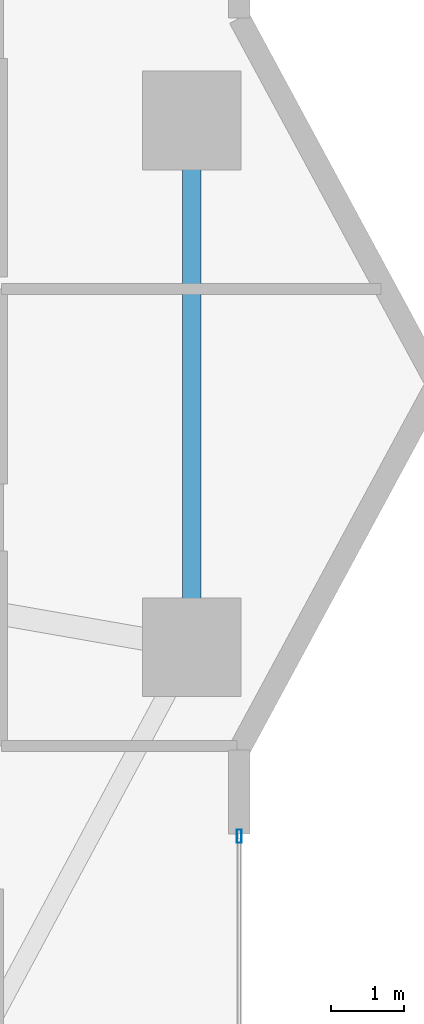
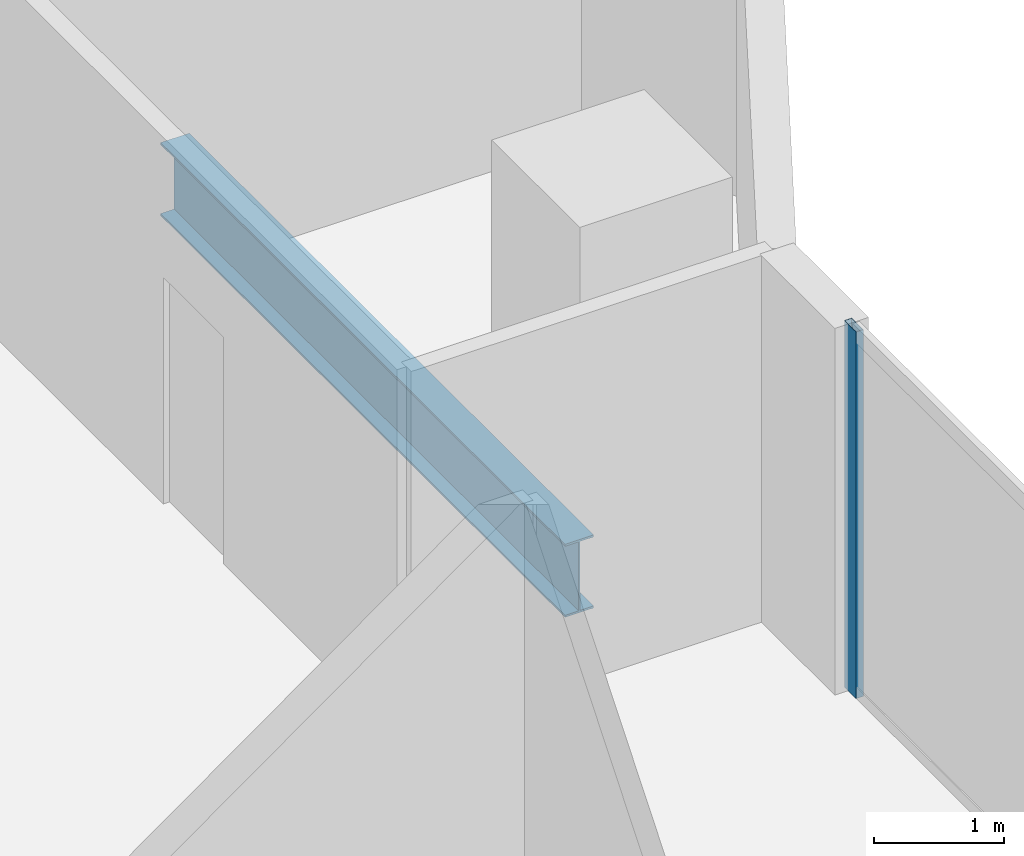
# One storey, part 13 of 29: 1 beam, 1 member, 1 element without a shape of its own.
"""IFC4 building model written with IfcOpenShell, lengths in metres."""

import ifcopenshell
import ifcopenshell.guid

model = None  # the IFC model being written
_history = None  # IfcOwnerHistory: only IFC2X3 demands one
_inside = {}  # id of a spatial element -> (the spatial element, [elements in it])
_under = {}  # id of a project, library or spatial element -> (it, [spatial elements below it])
_declared = {}  # id of a project -> (the project, [libraries it declares])
_typed = {}  # id of a type object -> (the type object, [elements of that type])
_made_of = {}  # id of a material, layer set ... -> (it, [elements and type objects made of it])


def new_model(schema):
    """Start an empty IFC model of exactly this schema.

    Asked for "IFC4X3", IfcOpenShell would pick the latest addendum, in which some entities
    have other attributes; the version numbers below select the first issue.
    IFC2X3 requires an IfcOwnerHistory on every rooted entity: one is made here for all.
    """
    global model, _history
    if schema == "IFC4X3":
        model = ifcopenshell.file(schema_version=(4, 3, 0, 0))
    else:
        model = ifcopenshell.file(schema=schema)
    _inside.clear()
    _under.clear()
    _declared.clear()
    _typed.clear()
    _made_of.clear()
    _history = None
    if model.schema == "IFC2X3":
        org = make("IfcOrganization", Name="unknown")
        user = make(
            "IfcPersonAndOrganization",
            ThePerson=make("IfcPerson", FamilyName="unknown"),
            TheOrganization=org,
        )
        app = make(
            "IfcApplication",
            ApplicationDeveloper=org,
            Version="unknown",
            ApplicationFullName="unknown",
            ApplicationIdentifier="unknown",
        )
        _history = make(
            "IfcOwnerHistory",
            OwningUser=user,
            OwningApplication=app,
            ChangeAction="ADDED",
            CreationDate=0,
        )
    return model


def make(cls, **values):
    """One entity of the class cls with the attributes given. An attribute that is None is left unset."""
    return model.create_entity(
        cls, **{name: value for name, value in values.items() if value is not None}
    )


def rooted(cls, **values):
    """An entity with a GlobalId (a new one), such as an element, a storey or a relation."""
    return make(cls, GlobalId=ifcopenshell.guid.new(), OwnerHistory=_history, **values)


def si_unit(unit_type, name, prefix=None):
    """IfcSIUnit, for example si_unit("LENGTHUNIT", "METRE", prefix="MILLI")."""
    return make("IfcSIUnit", UnitType=unit_type, Prefix=prefix, Name=name)


def assignment(units):
    """IfcUnitAssignment: the units of a project."""
    return None if units is None else make("IfcUnitAssignment", Units=units)


def point(xyz):
    """IfcCartesianPoint."""
    return None if xyz is None else make("IfcCartesianPoint", Coordinates=xyz)


def direction(xyz):
    """IfcDirection."""
    return None if xyz is None else make("IfcDirection", DirectionRatios=xyz)


def frame(location, z_axis=None, x_axis=None):
    """IfcAxis2Placement3D, a coordinate frame: its origin and axes. An axis left out is left unset."""
    return make(
        "IfcAxis2Placement3D",
        Location=point(location),
        Axis=direction(z_axis),
        RefDirection=direction(x_axis),
    )


def frame_2d(location, x_axis=None):
    """IfcAxis2Placement2D, a coordinate frame in the plane: its origin and x axis."""
    return make(
        "IfcAxis2Placement2D", Location=point(location), RefDirection=direction(x_axis)
    )


def origin():
    """The frame at (0, 0, 0) with its axes left unset."""
    return frame((0.0, 0.0, 0.0))


def origin_2d():
    """The frame at (0, 0) in the plane with its x axis left unset."""
    return frame_2d((0.0, 0.0))


def place(relative_to, where):
    """IfcLocalPlacement: puts the frame where relative to a parent placement (None: the world)."""
    return make(
        "IfcLocalPlacement", PlacementRelTo=relative_to, RelativePlacement=where
    )


def context(
    kind, dimensions, precision=None, world=None, true_north=None, identifier=None
):
    """IfcGeometricRepresentationContext, for example the 3D "Model" context."""
    return make(
        "IfcGeometricRepresentationContext",
        ContextIdentifier=identifier,
        ContextType=kind,
        CoordinateSpaceDimension=dimensions,
        Precision=precision,
        WorldCoordinateSystem=world,
        TrueNorth=true_north,
    )


def subcontext(parent, identifier, kind, view, scale=None):
    """IfcGeometricRepresentationSubContext, for example "Body" below "Model"."""
    return make(
        "IfcGeometricRepresentationSubContext",
        ContextIdentifier=identifier,
        ContextType=kind,
        ParentContext=parent,
        TargetScale=scale,
        TargetView=view,
    )


def project(units=None, contexts=None):
    """IfcProject with its units and contexts."""
    return rooted(
        "IfcProject",
        Name="project",
        RepresentationContexts=contexts,
        UnitsInContext=assignment(units),
    )


def spatial(cls, under=None, at=None, **own):
    """A site, building, storey or space (cls), placed at a placement, below another one or the project."""
    s = rooted(cls, ObjectPlacement=at, **own)
    if under is not None:
        _under.setdefault(under.id(), (under, []))[1].append(s)
    return s


def profile(cls, at=None, kind="AREA", **sizes):
    """A parametric profile (cls). Its sizes go by their IFC names, for example OverallWidth=200.0."""
    return make(cls, ProfileType=kind, Position=at, **sizes)


def hollow_rectangle(**sizes):
    """IfcRectangleHollowProfileDef."""
    return profile("IfcRectangleHollowProfileDef", **sizes)


def i_section(**sizes):
    """IfcIShapeProfileDef."""
    return profile("IfcIShapeProfileDef", **sizes)


def extrude(swept, where, along, depth):
    """IfcExtrudedAreaSolid: the profile swept, set in the frame where, extruded along a direction by depth."""
    return make(
        "IfcExtrudedAreaSolid",
        SweptArea=swept,
        Position=where,
        ExtrudedDirection=direction(along),
        Depth=depth,
    )


def shape(context_of_items, identifier, shape_type, items):
    """IfcShapeRepresentation: the items that make up one representation, for example the "Body"."""
    return make(
        "IfcShapeRepresentation",
        ContextOfItems=context_of_items,
        RepresentationIdentifier=identifier,
        RepresentationType=shape_type,
        Items=items,
    )


def material(Name=None, Category=None):
    """IfcMaterial."""
    return make("IfcMaterial", Name=Name, Category=Category)


def layer(
    of_material, thickness, ventilated=None, Name=None, Category=None, Priority=None
):
    """IfcMaterialLayer: one layer of a wall or slab, of a material (None: an air gap)."""
    return make(
        "IfcMaterialLayer",
        Material=of_material,
        LayerThickness=thickness,
        IsVentilated=ventilated,
        Name=Name,
        Category=Category,
        Priority=Priority,
    )


def layer_set(layers, Name=None):
    """IfcMaterialLayerSet."""
    return make("IfcMaterialLayerSet", MaterialLayers=layers, LayerSetName=Name)


def material_profile(
    of_material, cross_section, Name=None, Category=None, Priority=None
):
    """IfcMaterialProfile: a cross section and its material."""
    return make(
        "IfcMaterialProfile",
        Name=Name,
        Material=of_material,
        Profile=cross_section,
        Priority=Priority,
        Category=Category,
    )


def profile_set(profiles, Name=None, composite=None):
    """IfcMaterialProfileSet."""
    return make(
        "IfcMaterialProfileSet",
        Name=Name,
        MaterialProfiles=profiles,
        CompositeProfile=composite,
    )


def made_of(thing, what):
    """Note that an element or type object is made of a material, layer set ...; save() writes the relation."""
    if what is not None:
        _made_of.setdefault(what.id(), (what, []))[1].append(thing)
    return thing


def type_object(cls, material=None, **own):
    """A type object (cls), such as IfcWallType, which elements share."""
    return made_of(rooted(cls, **own), material)


def element(
    cls,
    number,
    at=None,
    inside=None,
    cuts=None,
    type_object=None,
    material=None,
    context=None,
    identifier="Body",
    shape_type=None,
    held_by="IfcProductDefinitionShape",
    body=None,
    shapes=None,
    **own,
):
    """One element of the class cls, such as IfcWall. Its Tag is "e" and its number.

    at: its placement. inside: the storey or other place that contains it. cuts: it is an
    opening in that element (IfcRelVoidsElement). A single representation is given by context,
    identifier, shape_type and body (its items); several are given by shapes. held_by: the class
    of the entity that holds the representations. save() writes the other relations.
    """
    e = rooted(cls, Tag="e%d" % number, ObjectPlacement=at, **own)
    if body is not None:
        shapes = [shape(context, identifier, shape_type, body)]
    if shapes is not None:
        e.Representation = make(held_by, Representations=shapes)
    if inside is not None:
        _inside.setdefault(inside.id(), (inside, []))[1].append(e)
    if cuts is not None:
        rooted(
            "IfcRelVoidsElement", RelatingBuildingElement=cuts, RelatedOpeningElement=e
        )
    if type_object is not None:
        _typed.setdefault(type_object.id(), (type_object, []))[1].append(e)
    return made_of(e, material)


def aggregate(whole, parts):
    """IfcRelAggregates: a whole, such as a stair, and the parts it consists of."""
    return rooted("IfcRelAggregates", RelatingObject=whole, RelatedObjects=parts)


def save(model, path):
    """Write the relations noted so far, then the file.

    IfcRelAggregates (storeys below a building ...), IfcRelContainedInSpatialStructure (elements
    in a storey), IfcRelDefinesByType, IfcRelAssociatesMaterial and IfcRelDeclares: one each for
    every whole, place, type object, material and project.
    """
    for whole, parts in _under.values():
        aggregate(whole, parts)
    for where, things in _inside.values():
        rooted(
            "IfcRelContainedInSpatialStructure",
            RelatedElements=things,
            RelatingStructure=where,
        )
    for kind, things in _typed.values():
        rooted("IfcRelDefinesByType", RelatedObjects=things, RelatingType=kind)
    for what, things in _made_of.values():
        rooted("IfcRelAssociatesMaterial", RelatedObjects=things, RelatingMaterial=what)
    for by, libraries in _declared.values():
        rooted("IfcRelDeclares", RelatingContext=by, RelatedDefinitions=libraries)
    model.write(path)


model = new_model("IFC4")

# Units and contexts
model_context = context("Model", 3, precision=1e-05, world=origin(), true_north=direction((0.0, 1.0)))
body_context = subcontext(model_context, "Body", "Model", "MODEL_VIEW")
ifc_project = project(units=[si_unit("LENGTHUNIT", "METRE"), si_unit("AREAUNIT", "SQUARE_METRE"), si_unit("VOLUMEUNIT", "CUBIC_METRE"), si_unit("PLANEANGLEUNIT", "RADIAN"), si_unit("MASSUNIT", "GRAM", prefix="KILO")], contexts=[model_context])

# Site, building, storey
site_placement = place(None, origin())
site = spatial("IfcSite", under=ifc_project, at=site_placement, CompositionType="ELEMENT")
building_placement = place(site_placement, origin())
building = spatial("IfcBuilding", under=site, at=building_placement, Name="Zuhayl Quay Hotel", CompositionType="ELEMENT")
storey_placement = place(building_placement, frame((0.0, 0.0, 132.14990234375)))
storey = spatial("IfcBuildingStorey", under=building, at=storey_placement, Name="L33", CompositionType="ELEMENT", Elevation=132.14990234375)

# Beam
ifc_material_1 = material(Name="Steel ASTM A992 Grade 50", Category="steel")
ifc_material_profile_1 = material_profile(ifc_material_1, i_section(OverallWidth=0.25390625, OverallDepth=0.68310546875, WebThickness=0.012451171875, FlangeThickness=0.018798828125, at=origin_2d()), Name="W27X94")
ifc_profile_set_1 = profile_set([ifc_material_profile_1], Name="Steel ASTM A992 Grade 50")
beam_type = type_object("IfcBeamType", Name="BM_B2_W27X94", PredefinedType="BEAM", material=ifc_profile_set_1)
beam_placement = place(storey_placement, frame((23.25, 3.39990234375, -0.5615234375), z_axis=(0.0, 1.0, 0.0), x_axis=(-1.0, 0.0, 0.0)))
element("IfcBeam", 1, at=beam_placement, inside=storey, type_object=beam_type, Name="L33 Floor Beam RG_L33_05", PredefinedType="BEAM", context=body_context, shape_type="SweptSolid", body=[
    extrude(i_section(OverallWidth=0.25390625, OverallDepth=0.68310546875, WebThickness=0.012451171875, FlangeThickness=0.018798828125, at=origin_2d()), origin(), (0.0, 0.0, 1.0), 6.2001953125),
])

# Curtain wall, member
ifc_material_2 = material(Name="Anodised Aluminium 6063-T6", Category="aluminium")
ifc_layer = layer(ifc_material_2, 0.179931640625, Name="Anodised Aluminium 6063-T6", Category="aluminium")
ifc_layer_set = layer_set([ifc_layer], Name="Anodised Aluminium 6063-T6")
curtain_wall_type = type_object("IfcCurtainWallType", Name="CW_SYS_Z2", PredefinedType="USERDEFINED", material=ifc_layer_set)
curtain_wall_placement = place(storey_placement, origin())
curtain_wall = element("IfcCurtainWall", 2, at=curtain_wall_placement, inside=storey, type_object=curtain_wall_type, Name="L33 Curtain Wall ENV_L33_E14_CW1", ObjectType="UNITISED CURTAIN WALL", PredefinedType="USERDEFINED")
ifc_material_3 = material(Name="Black-anodised aluminium 6063-T6", Category="aluminium")
ifc_material_profile_2 = material_profile(ifc_material_3, hollow_rectangle(XDim=0.06494140625, YDim=0.179931640625, WallThickness=0.00341796875, at=origin_2d()), Name="ALU180X65")
ifc_profile_set_2 = profile_set([ifc_material_profile_2], Name="Black-anodised aluminium 6063-T6")
member_type = type_object("IfcMemberType", Name="MB_CW_MUL_180", PredefinedType="MULLION", material=ifc_profile_set_2)
member_placement = place(storey_placement, frame((23.89990234375, 0.3173828125, 0.0), z_axis=(0.0, 0.0, 1.0), x_axis=(1.0, 0.0, 0.0)))
member = element("IfcMember", 3, at=member_placement, type_object=member_type, Name="CW-Z2 mullion 1", PredefinedType="MULLION", context=body_context, shape_type="SweptSolid", body=[
    extrude(hollow_rectangle(XDim=0.06494140625, YDim=0.179931640625, WallThickness=0.00341796875, at=origin_2d()), origin(), (0.0, 0.0, 1.0), 3.43017578125),
])
aggregate(curtain_wall, [member])

save(model, "model.ifc")
